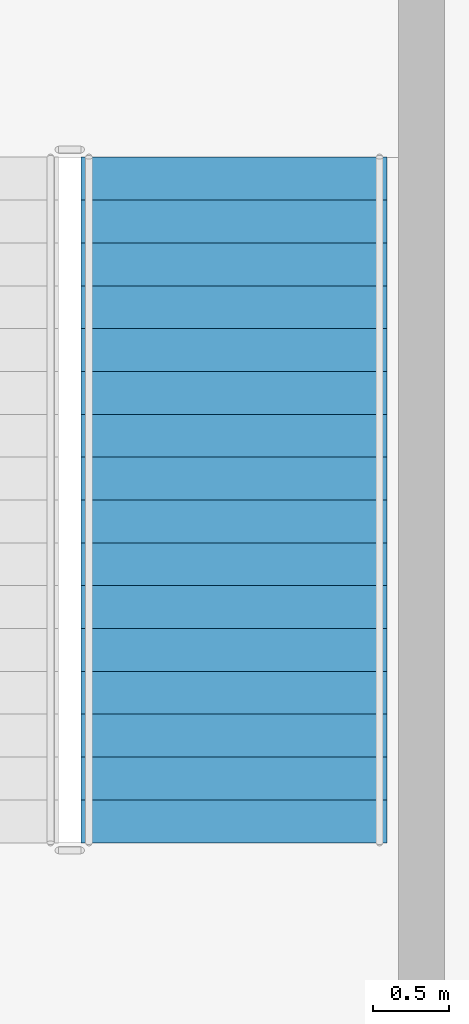
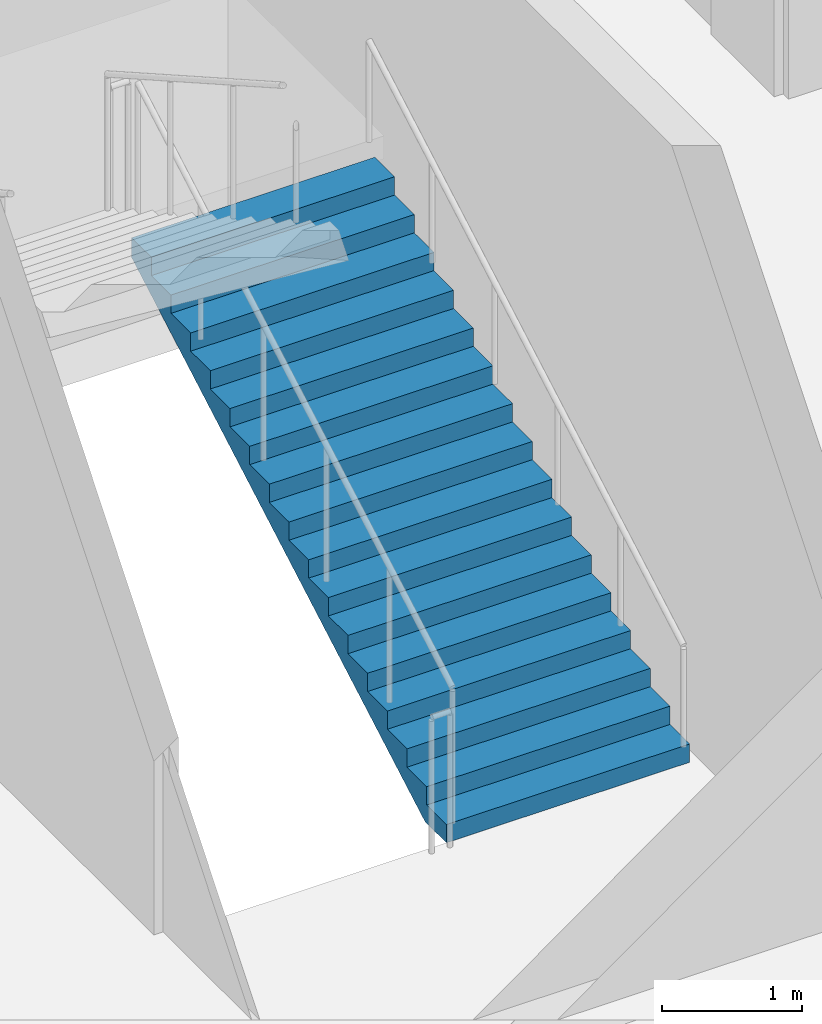
# One storey, part 17 of 18: 1 stair flight, 1 element without a shape of its own.
"""IFC4 building model written with IfcOpenShell, lengths in metres."""

from ifc_helpers import new_model, si_unit, direction, frame, origin, place, context, subcontext, project, spatial, polygons, material, type_object, element, aggregate, save


model = new_model("IFC4")

# Units and contexts
model_context = context("Model", 3, precision=1e-05, world=origin(), true_north=direction((0.0, 1.0)))
body_context = subcontext(model_context, "Body", "Model", "MODEL_VIEW")
ifc_project = project(units=[si_unit("LENGTHUNIT", "METRE"), si_unit("AREAUNIT", "SQUARE_METRE"), si_unit("VOLUMEUNIT", "CUBIC_METRE"), si_unit("PLANEANGLEUNIT", "RADIAN"), si_unit("MASSUNIT", "GRAM", prefix="KILO")], contexts=[model_context])

# Site, building, storey
site_placement = place(None, origin())
site = spatial("IfcSite", under=ifc_project, at=site_placement, CompositionType="ELEMENT")
building_placement = place(site_placement, origin())
building = spatial("IfcBuilding", under=site, at=building_placement, Name="Caravel Reach Hotel and Residences", CompositionType="ELEMENT")
storey_placement = place(building_placement, frame((0.0, 0.0, 145.199951171875)))
storey = spatial("IfcBuildingStorey", under=building, at=storey_placement, Name="L36", CompositionType="ELEMENT", Elevation=145.199951171875)

# Stair, stair flight
ifc_material_1 = material(Name="Concrete C40", Category="concrete")
stair_type = type_object("IfcStairType", Name="Core stair", PredefinedType="HALF_TURN_STAIR", material=ifc_material_1)
stair_placement = place(storey_placement, origin())
stair = element("IfcStair", 1, at=stair_placement, inside=storey, type_object=stair_type, Name="L36 Exit stair B", PredefinedType="HALF_TURN_STAIR")
ifc_material_2 = material(Name="Concrete C40", Category="concrete")
stair_flight_type = type_object("IfcStairFlightType", Name="Core stair flight", PredefinedType="STRAIGHT", material=ifc_material_2)
stair_flight_placement = place(storey_placement, frame((43.77490234375, 24.64990234375, 0.0), z_axis=(0.0, 0.0, 1.0), x_axis=(0.0, 1.0, 0.0)))
stair_flight = element("IfcStairFlight", 2, at=stair_flight_placement, type_object=stair_flight_type, Name="ST-B flight 1", NumberOfRisers=17, NumberOfTreads=16, PredefinedType="STRAIGHT", RiserHeight=0.158823529, TreadLength=0.28, context=body_context, shape_type="Tessellation", body=[
    polygons([(0.30382651472380307, 1.0, 0.0), (0.30382651472380307, 0.6666666666666667, 0.0), (0.30382651472380307, 0.33333333333333337, 0.0), (0.30382651472380307, 0.0, 0.0), (0.30382651472380307, -0.33333333333333326, 0.0), (0.30382651472380307, -0.6666666666666667, 0.0), (0.30382651472380307, -1.0, 0.0), (4.481000000000001, 1.0, 2.3688378951706968), (4.481000000000001, 0.6666666666666667, 2.3688378951706968), (4.481000000000001, 0.33333333333333337, 2.3688378951706968), (4.481000000000001, 0.0, 2.3688378951706968), (4.481000000000001, -0.33333333333333326, 2.3688378951706968), (4.481000000000001, -0.6666666666666667, 2.3688378951706968), (4.481000000000001, -1.0, 2.3688378951706968), (4.481000000000001, 1.0, 2.541176464), (4.481000000000001, 0.6666666666666667, 2.541176464), (4.481000000000001, 0.33333333333333337, 2.541176464), (4.481000000000001, 0.0, 2.541176464), (4.481000000000001, -0.33333333333333326, 2.541176464), (4.481000000000001, -0.6666666666666667, 2.541176464), (4.481000000000001, -1.0, 2.541176464), (4.2, 1.0, 2.541176464), (4.2, 0.6666666666666667, 2.541176464), (4.2, 0.33333333333333337, 2.541176464), (4.2, 0.0, 2.541176464), (4.2, -0.33333333333333326, 2.541176464), (4.2, -0.6666666666666667, 2.541176464), (4.2, -1.0, 2.541176464), (4.2, 1.0, 2.3823529349999997), (4.2, 0.6666666666666667, 2.3823529349999997), (4.2, 0.33333333333333337, 2.3823529349999997), (4.2, 0.0, 2.3823529349999997), (4.2, -0.33333333333333326, 2.3823529349999997), (4.2, -0.6666666666666667, 2.3823529349999997), (4.2, -1.0, 2.3823529349999997), (3.9200000000000004, 1.0, 2.3823529349999997), (3.9200000000000004, 0.6666666666666667, 2.3823529349999997), (3.9200000000000004, 0.33333333333333337, 2.3823529349999997), (3.9200000000000004, 0.0, 2.3823529349999997), (3.9200000000000004, -0.33333333333333326, 2.3823529349999997), (3.9200000000000004, -0.6666666666666667, 2.3823529349999997), (3.9200000000000004, -1.0, 2.3823529349999997), (3.9200000000000004, 1.0, 2.223529406), (3.9200000000000004, 0.6666666666666667, 2.223529406), (3.9200000000000004, 0.33333333333333337, 2.223529406), (3.9200000000000004, 0.0, 2.223529406), (3.9200000000000004, -0.33333333333333326, 2.223529406), (3.9200000000000004, -0.6666666666666667, 2.223529406), (3.9200000000000004, -1.0, 2.223529406), (3.6400000000000006, 1.0, 2.223529406), (3.6400000000000006, 0.6666666666666667, 2.223529406), (3.6400000000000006, 0.33333333333333337, 2.223529406), (3.6400000000000006, 0.0, 2.223529406), (3.6400000000000006, -0.33333333333333326, 2.223529406), (3.6400000000000006, -0.6666666666666667, 2.223529406), (3.6400000000000006, -1.0, 2.223529406), (3.6400000000000006, 1.0, 2.0647058769999997), (3.6400000000000006, 0.6666666666666667, 2.0647058769999997), (3.6400000000000006, 0.33333333333333337, 2.0647058769999997), (3.6400000000000006, 0.0, 2.0647058769999997), (3.6400000000000006, -0.33333333333333326, 2.0647058769999997), (3.6400000000000006, -0.6666666666666667, 2.0647058769999997), (3.6400000000000006, -1.0, 2.0647058769999997), (3.3600000000000003, 1.0, 2.0647058769999997), (3.3600000000000003, 0.6666666666666667, 2.0647058769999997), (3.3600000000000003, 0.33333333333333337, 2.0647058769999997), (3.3600000000000003, 0.0, 2.0647058769999997), (3.3600000000000003, -0.33333333333333326, 2.0647058769999997), (3.3600000000000003, -0.6666666666666667, 2.0647058769999997), (3.3600000000000003, -1.0, 2.0647058769999997), (3.3600000000000003, 1.0, 1.905882348), (3.3600000000000003, 0.6666666666666667, 1.905882348), (3.3600000000000003, 0.33333333333333337, 1.905882348), (3.3600000000000003, 0.0, 1.905882348), (3.3600000000000003, -0.33333333333333326, 1.905882348), (3.3600000000000003, -0.6666666666666667, 1.905882348), (3.3600000000000003, -1.0, 1.905882348), (3.08, 1.0, 1.905882348), (3.08, 0.6666666666666667, 1.905882348), (3.08, 0.33333333333333337, 1.905882348), (3.08, 0.0, 1.905882348), (3.08, -0.33333333333333326, 1.905882348), (3.08, -0.6666666666666667, 1.905882348), (3.08, -1.0, 1.905882348), (3.08, 1.0, 1.7470588189999998), (3.08, 0.6666666666666667, 1.7470588189999998), (3.08, 0.33333333333333337, 1.7470588189999998), (3.08, 0.0, 1.7470588189999998), (3.08, -0.33333333333333326, 1.7470588189999998), (3.08, -0.6666666666666667, 1.7470588189999998), (3.08, -1.0, 1.7470588189999998), (2.8000000000000003, 1.0, 1.7470588189999998), (2.8000000000000003, 0.6666666666666667, 1.7470588189999998), (2.8000000000000003, 0.33333333333333337, 1.7470588189999998), (2.8000000000000003, 0.0, 1.7470588189999998), (2.8000000000000003, -0.33333333333333326, 1.7470588189999998), (2.8000000000000003, -0.6666666666666667, 1.7470588189999998), (2.8000000000000003, -1.0, 1.7470588189999998), (2.8000000000000003, 1.0, 1.5882352899999999), (2.8000000000000003, 0.6666666666666667, 1.5882352899999999), (2.8000000000000003, 0.33333333333333337, 1.5882352899999999), (2.8000000000000003, 0.0, 1.5882352899999999), (2.8000000000000003, -0.33333333333333326, 1.5882352899999999), (2.8000000000000003, -0.6666666666666667, 1.5882352899999999), (2.8000000000000003, -1.0, 1.5882352899999999), (2.5200000000000005, 1.0, 1.5882352899999999), (2.5200000000000005, 0.6666666666666667, 1.5882352899999999), (2.5200000000000005, 0.33333333333333337, 1.5882352899999999), (2.5200000000000005, 0.0, 1.5882352899999999), (2.5200000000000005, -0.33333333333333326, 1.5882352899999999), (2.5200000000000005, -0.6666666666666667, 1.5882352899999999), (2.5200000000000005, -1.0, 1.5882352899999999), (2.5200000000000005, 1.0, 1.429411761), (2.5200000000000005, 0.6666666666666667, 1.429411761), (2.5200000000000005, 0.33333333333333337, 1.429411761), (2.5200000000000005, 0.0, 1.429411761), (2.5200000000000005, -0.33333333333333326, 1.429411761), (2.5200000000000005, -0.6666666666666667, 1.429411761), (2.5200000000000005, -1.0, 1.429411761), (2.24, 1.0, 1.429411761), (2.24, 0.6666666666666667, 1.429411761), (2.24, 0.33333333333333337, 1.429411761), (2.24, 0.0, 1.429411761), (2.24, -0.33333333333333326, 1.429411761), (2.24, -0.6666666666666667, 1.429411761), (2.24, -1.0, 1.429411761), (2.24, 1.0, 1.270588232), (2.24, 0.6666666666666667, 1.270588232), (2.24, 0.33333333333333337, 1.270588232), (2.24, 0.0, 1.270588232), (2.24, -0.33333333333333326, 1.270588232), (2.24, -0.6666666666666667, 1.270588232), (2.24, -1.0, 1.270588232), (1.9600000000000002, 1.0, 1.270588232), (1.9600000000000002, 0.6666666666666667, 1.270588232), (1.9600000000000002, 0.33333333333333337, 1.270588232), (1.9600000000000002, 0.0, 1.270588232), (1.9600000000000002, -0.33333333333333326, 1.270588232), (1.9600000000000002, -0.6666666666666667, 1.270588232), (1.9600000000000002, -1.0, 1.270588232), (1.9600000000000002, 1.0, 1.111764703), (1.9600000000000002, 0.6666666666666667, 1.111764703), (1.9600000000000002, 0.33333333333333337, 1.111764703), (1.9600000000000002, 0.0, 1.111764703), (1.9600000000000002, -0.33333333333333326, 1.111764703), (1.9600000000000002, -0.6666666666666667, 1.111764703), (1.9600000000000002, -1.0, 1.111764703), (1.6800000000000002, 1.0, 1.111764703), (1.6800000000000002, 0.6666666666666667, 1.111764703), (1.6800000000000002, 0.33333333333333337, 1.111764703), (1.6800000000000002, 0.0, 1.111764703), (1.6800000000000002, -0.33333333333333326, 1.111764703), (1.6800000000000002, -0.6666666666666667, 1.111764703), (1.6800000000000002, -1.0, 1.111764703), (1.6800000000000002, 1.0, 0.952941174), (1.6800000000000002, 0.6666666666666667, 0.952941174), (1.6800000000000002, 0.33333333333333337, 0.952941174), (1.6800000000000002, 0.0, 0.952941174), (1.6800000000000002, -0.33333333333333326, 0.952941174), (1.6800000000000002, -0.6666666666666667, 0.952941174), (1.6800000000000002, -1.0, 0.952941174), (1.4000000000000001, 1.0, 0.952941174), (1.4000000000000001, 0.6666666666666667, 0.952941174), (1.4000000000000001, 0.33333333333333337, 0.952941174), (1.4000000000000001, 0.0, 0.952941174), (1.4000000000000001, -0.33333333333333326, 0.952941174), (1.4000000000000001, -0.6666666666666667, 0.952941174), (1.4000000000000001, -1.0, 0.952941174), (1.4000000000000001, 1.0, 0.7941176449999999), (1.4000000000000001, 0.6666666666666667, 0.7941176449999999), (1.4000000000000001, 0.33333333333333337, 0.7941176449999999), (1.4000000000000001, 0.0, 0.7941176449999999), (1.4000000000000001, -0.33333333333333326, 0.7941176449999999), (1.4000000000000001, -0.6666666666666667, 0.7941176449999999), (1.4000000000000001, -1.0, 0.7941176449999999), (1.12, 1.0, 0.7941176449999999), (1.12, 0.6666666666666667, 0.7941176449999999), (1.12, 0.33333333333333337, 0.7941176449999999), (1.12, 0.0, 0.7941176449999999), (1.12, -0.33333333333333326, 0.7941176449999999), (1.12, -0.6666666666666667, 0.7941176449999999), (1.12, -1.0, 0.7941176449999999), (1.12, 1.0, 0.635294116), (1.12, 0.6666666666666667, 0.635294116), (1.12, 0.33333333333333337, 0.635294116), (1.12, 0.0, 0.635294116), (1.12, -0.33333333333333326, 0.635294116), (1.12, -0.6666666666666667, 0.635294116), (1.12, -1.0, 0.635294116), (0.8400000000000001, 1.0, 0.635294116), (0.8400000000000001, 0.6666666666666667, 0.635294116), (0.8400000000000001, 0.33333333333333337, 0.635294116), (0.8400000000000001, 0.0, 0.635294116), (0.8400000000000001, -0.33333333333333326, 0.635294116), (0.8400000000000001, -0.6666666666666667, 0.635294116), (0.8400000000000001, -1.0, 0.635294116), (0.8400000000000001, 1.0, 0.476470587), (0.8400000000000001, 0.6666666666666667, 0.476470587), (0.8400000000000001, 0.33333333333333337, 0.476470587), (0.8400000000000001, 0.0, 0.476470587), (0.8400000000000001, -0.33333333333333326, 0.476470587), (0.8400000000000001, -0.6666666666666667, 0.476470587), (0.8400000000000001, -1.0, 0.476470587), (0.56, 1.0, 0.476470587), (0.56, 0.6666666666666667, 0.476470587), (0.56, 0.33333333333333337, 0.476470587), (0.56, 0.0, 0.476470587), (0.56, -0.33333333333333326, 0.476470587), (0.56, -0.6666666666666667, 0.476470587), (0.56, -1.0, 0.476470587), (0.56, 1.0, 0.317647058), (0.56, 0.6666666666666667, 0.317647058), (0.56, 0.33333333333333337, 0.317647058), (0.56, 0.0, 0.317647058), (0.56, -0.33333333333333326, 0.317647058), (0.56, -0.6666666666666667, 0.317647058), (0.56, -1.0, 0.317647058), (0.28, 1.0, 0.317647058), (0.28, 0.6666666666666667, 0.317647058), (0.28, 0.33333333333333337, 0.317647058), (0.28, 0.0, 0.317647058), (0.28, -0.33333333333333326, 0.317647058), (0.28, -0.6666666666666667, 0.317647058), (0.28, -1.0, 0.317647058), (0.28, 1.0, 0.158823529), (0.28, 0.6666666666666667, 0.158823529), (0.28, 0.33333333333333337, 0.158823529), (0.28, 0.0, 0.158823529), (0.28, -0.33333333333333326, 0.158823529), (0.28, -0.6666666666666667, 0.158823529), (0.28, -1.0, 0.158823529), (-0.001, 1.0, 0.158823529), (-0.001, 0.6666666666666667, 0.158823529), (-0.001, 0.33333333333333337, 0.158823529), (-0.001, 0.0, 0.158823529), (-0.001, -0.33333333333333326, 0.158823529), (-0.001, -0.6666666666666667, 0.158823529), (-0.001, -1.0, 0.158823529), (-0.001, 1.0, 0.0), (-0.001, 0.6666666666666667, 0.0), (-0.001, 0.33333333333333337, 0.0), (-0.001, 0.0, 0.0), (-0.001, -0.33333333333333326, 0.0), (-0.001, -0.6666666666666667, 0.0), (-0.001, -1.0, 0.0)], [[[239, 232, 225, 218, 211, 204, 197, 190, 183, 176, 169, 162, 155, 148, 141, 134, 127, 120, 113, 106, 99, 92, 85, 78, 71, 64, 57, 50, 43, 36, 29, 22, 15, 8, 1]], [[7, 14, 21, 28, 35, 42, 49, 56, 63, 70, 77, 84, 91, 98, 105, 112, 119, 126, 133, 140, 147, 154, 161, 168, 175, 182, 189, 196, 203, 210, 217, 224, 231, 238, 245]], [[1, 8, 9, 2]], [[2, 9, 10, 3]], [[3, 10, 11, 4]], [[4, 11, 12, 5]], [[5, 12, 13, 6]], [[6, 13, 14, 7]], [[8, 15, 16, 9]], [[9, 16, 17, 10]], [[10, 17, 18, 11]], [[11, 18, 19, 12]], [[12, 19, 20, 13]], [[13, 20, 21, 14]], [[15, 22, 23, 16]], [[16, 23, 24, 17]], [[17, 24, 25, 18]], [[18, 25, 26, 19]], [[19, 26, 27, 20]], [[20, 27, 28, 21]], [[22, 29, 30, 23]], [[23, 30, 31, 24]], [[24, 31, 32, 25]], [[25, 32, 33, 26]], [[26, 33, 34, 27]], [[27, 34, 35, 28]], [[29, 36, 37, 30]], [[30, 37, 38, 31]], [[31, 38, 39, 32]], [[32, 39, 40, 33]], [[33, 40, 41, 34]], [[34, 41, 42, 35]], [[36, 43, 44, 37]], [[37, 44, 45, 38]], [[38, 45, 46, 39]], [[39, 46, 47, 40]], [[40, 47, 48, 41]], [[41, 48, 49, 42]], [[43, 50, 51, 44]], [[44, 51, 52, 45]], [[45, 52, 53, 46]], [[46, 53, 54, 47]], [[47, 54, 55, 48]], [[48, 55, 56, 49]], [[50, 57, 58, 51]], [[51, 58, 59, 52]], [[52, 59, 60, 53]], [[53, 60, 61, 54]], [[54, 61, 62, 55]], [[55, 62, 63, 56]], [[57, 64, 65, 58]], [[58, 65, 66, 59]], [[59, 66, 67, 60]], [[60, 67, 68, 61]], [[61, 68, 69, 62]], [[62, 69, 70, 63]], [[64, 71, 72, 65]], [[65, 72, 73, 66]], [[66, 73, 74, 67]], [[67, 74, 75, 68]], [[68, 75, 76, 69]], [[69, 76, 77, 70]], [[71, 78, 79, 72]], [[72, 79, 80, 73]], [[73, 80, 81, 74]], [[74, 81, 82, 75]], [[75, 82, 83, 76]], [[76, 83, 84, 77]], [[78, 85, 86, 79]], [[79, 86, 87, 80]], [[80, 87, 88, 81]], [[81, 88, 89, 82]], [[82, 89, 90, 83]], [[83, 90, 91, 84]], [[85, 92, 93, 86]], [[86, 93, 94, 87]], [[87, 94, 95, 88]], [[88, 95, 96, 89]], [[89, 96, 97, 90]], [[90, 97, 98, 91]], [[92, 99, 100, 93]], [[93, 100, 101, 94]], [[94, 101, 102, 95]], [[95, 102, 103, 96]], [[96, 103, 104, 97]], [[97, 104, 105, 98]], [[99, 106, 107, 100]], [[100, 107, 108, 101]], [[101, 108, 109, 102]], [[102, 109, 110, 103]], [[103, 110, 111, 104]], [[104, 111, 112, 105]], [[106, 113, 114, 107]], [[107, 114, 115, 108]], [[108, 115, 116, 109]], [[109, 116, 117, 110]], [[110, 117, 118, 111]], [[111, 118, 119, 112]], [[113, 120, 121, 114]], [[114, 121, 122, 115]], [[115, 122, 123, 116]], [[116, 123, 124, 117]], [[117, 124, 125, 118]], [[118, 125, 126, 119]], [[120, 127, 128, 121]], [[121, 128, 129, 122]], [[122, 129, 130, 123]], [[123, 130, 131, 124]], [[124, 131, 132, 125]], [[125, 132, 133, 126]], [[127, 134, 135, 128]], [[128, 135, 136, 129]], [[129, 136, 137, 130]], [[130, 137, 138, 131]], [[131, 138, 139, 132]], [[132, 139, 140, 133]], [[134, 141, 142, 135]], [[135, 142, 143, 136]], [[136, 143, 144, 137]], [[137, 144, 145, 138]], [[138, 145, 146, 139]], [[139, 146, 147, 140]], [[141, 148, 149, 142]], [[142, 149, 150, 143]], [[143, 150, 151, 144]], [[144, 151, 152, 145]], [[145, 152, 153, 146]], [[146, 153, 154, 147]], [[148, 155, 156, 149]], [[149, 156, 157, 150]], [[150, 157, 158, 151]], [[151, 158, 159, 152]], [[152, 159, 160, 153]], [[153, 160, 161, 154]], [[155, 162, 163, 156]], [[156, 163, 164, 157]], [[157, 164, 165, 158]], [[158, 165, 166, 159]], [[159, 166, 167, 160]], [[160, 167, 168, 161]], [[162, 169, 170, 163]], [[163, 170, 171, 164]], [[164, 171, 172, 165]], [[165, 172, 173, 166]], [[166, 173, 174, 167]], [[167, 174, 175, 168]], [[169, 176, 177, 170]], [[170, 177, 178, 171]], [[171, 178, 179, 172]], [[172, 179, 180, 173]], [[173, 180, 181, 174]], [[174, 181, 182, 175]], [[176, 183, 184, 177]], [[177, 184, 185, 178]], [[178, 185, 186, 179]], [[179, 186, 187, 180]], [[180, 187, 188, 181]], [[181, 188, 189, 182]], [[183, 190, 191, 184]], [[184, 191, 192, 185]], [[185, 192, 193, 186]], [[186, 193, 194, 187]], [[187, 194, 195, 188]], [[188, 195, 196, 189]], [[190, 197, 198, 191]], [[191, 198, 199, 192]], [[192, 199, 200, 193]], [[193, 200, 201, 194]], [[194, 201, 202, 195]], [[195, 202, 203, 196]], [[197, 204, 205, 198]], [[198, 205, 206, 199]], [[199, 206, 207, 200]], [[200, 207, 208, 201]], [[201, 208, 209, 202]], [[202, 209, 210, 203]], [[204, 211, 212, 205]], [[205, 212, 213, 206]], [[206, 213, 214, 207]], [[207, 214, 215, 208]], [[208, 215, 216, 209]], [[209, 216, 217, 210]], [[211, 218, 219, 212]], [[212, 219, 220, 213]], [[213, 220, 221, 214]], [[214, 221, 222, 215]], [[215, 222, 223, 216]], [[216, 223, 224, 217]], [[218, 225, 226, 219]], [[219, 226, 227, 220]], [[220, 227, 228, 221]], [[221, 228, 229, 222]], [[222, 229, 230, 223]], [[223, 230, 231, 224]], [[225, 232, 233, 226]], [[226, 233, 234, 227]], [[227, 234, 235, 228]], [[228, 235, 236, 229]], [[229, 236, 237, 230]], [[230, 237, 238, 231]], [[232, 239, 240, 233]], [[233, 240, 241, 234]], [[234, 241, 242, 235]], [[235, 242, 243, 236]], [[236, 243, 244, 237]], [[237, 244, 245, 238]], [[239, 1, 2, 240]], [[240, 2, 3, 241]], [[241, 3, 4, 242]], [[242, 4, 5, 243]], [[243, 5, 6, 244]], [[244, 6, 7, 245]]], closed=True),
])
aggregate(stair, [stair_flight])

save(model, "model.ifc")
